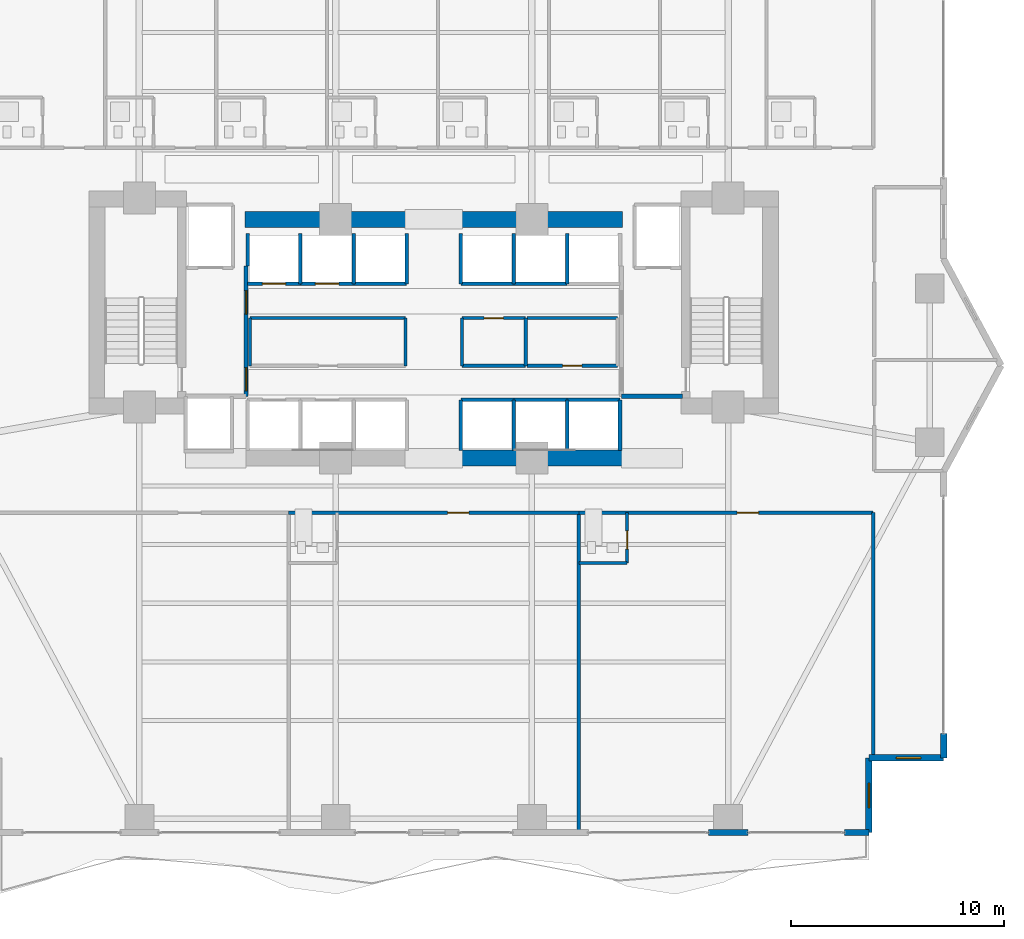
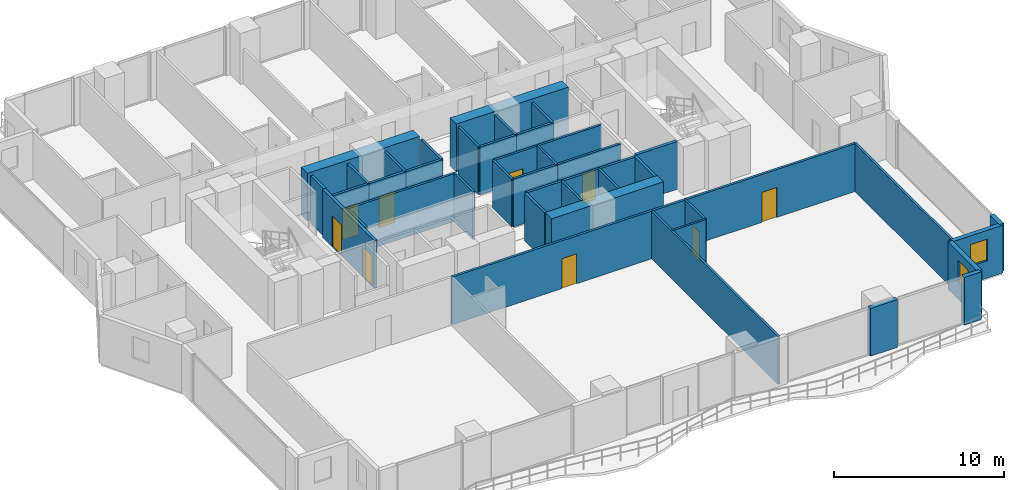
# One storey, part 22 of 29: 44 walls, 9 doors, 2 windows, 11 openings.
"""IFC4 building model written with IfcOpenShell, lengths in metres."""

import ifcopenshell
import ifcopenshell.guid

model = None  # the IFC model being written
_history = None  # IfcOwnerHistory: only IFC2X3 demands one
_inside = {}  # id of a spatial element -> (the spatial element, [elements in it])
_under = {}  # id of a project, library or spatial element -> (it, [spatial elements below it])
_declared = {}  # id of a project -> (the project, [libraries it declares])
_typed = {}  # id of a type object -> (the type object, [elements of that type])
_made_of = {}  # id of a material, layer set ... -> (it, [elements and type objects made of it])


def new_model(schema):
    """Start an empty IFC model of exactly this schema.

    Asked for "IFC4X3", IfcOpenShell would pick the latest addendum, in which some entities
    have other attributes; the version numbers below select the first issue.
    IFC2X3 requires an IfcOwnerHistory on every rooted entity: one is made here for all.
    """
    global model, _history
    if schema == "IFC4X3":
        model = ifcopenshell.file(schema_version=(4, 3, 0, 0))
    else:
        model = ifcopenshell.file(schema=schema)
    _inside.clear()
    _under.clear()
    _declared.clear()
    _typed.clear()
    _made_of.clear()
    _history = None
    if model.schema == "IFC2X3":
        org = make("IfcOrganization", Name="unknown")
        user = make(
            "IfcPersonAndOrganization",
            ThePerson=make("IfcPerson", FamilyName="unknown"),
            TheOrganization=org,
        )
        app = make(
            "IfcApplication",
            ApplicationDeveloper=org,
            Version="unknown",
            ApplicationFullName="unknown",
            ApplicationIdentifier="unknown",
        )
        _history = make(
            "IfcOwnerHistory",
            OwningUser=user,
            OwningApplication=app,
            ChangeAction="ADDED",
            CreationDate=0,
        )
    return model


def make(cls, **values):
    """One entity of the class cls with the attributes given. An attribute that is None is left unset."""
    return model.create_entity(
        cls, **{name: value for name, value in values.items() if value is not None}
    )


def rooted(cls, **values):
    """An entity with a GlobalId (a new one), such as an element, a storey or a relation."""
    return make(cls, GlobalId=ifcopenshell.guid.new(), OwnerHistory=_history, **values)


def si_unit(unit_type, name, prefix=None):
    """IfcSIUnit, for example si_unit("LENGTHUNIT", "METRE", prefix="MILLI")."""
    return make("IfcSIUnit", UnitType=unit_type, Prefix=prefix, Name=name)


def assignment(units):
    """IfcUnitAssignment: the units of a project."""
    return None if units is None else make("IfcUnitAssignment", Units=units)


def point(xyz):
    """IfcCartesianPoint."""
    return None if xyz is None else make("IfcCartesianPoint", Coordinates=xyz)


def direction(xyz):
    """IfcDirection."""
    return None if xyz is None else make("IfcDirection", DirectionRatios=xyz)


def frame(location, z_axis=None, x_axis=None):
    """IfcAxis2Placement3D, a coordinate frame: its origin and axes. An axis left out is left unset."""
    return make(
        "IfcAxis2Placement3D",
        Location=point(location),
        Axis=direction(z_axis),
        RefDirection=direction(x_axis),
    )


def frame_2d(location, x_axis=None):
    """IfcAxis2Placement2D, a coordinate frame in the plane: its origin and x axis."""
    return make(
        "IfcAxis2Placement2D", Location=point(location), RefDirection=direction(x_axis)
    )


def origin():
    """The frame at (0, 0, 0) with its axes left unset."""
    return frame((0.0, 0.0, 0.0))


def place(relative_to, where):
    """IfcLocalPlacement: puts the frame where relative to a parent placement (None: the world)."""
    return make(
        "IfcLocalPlacement", PlacementRelTo=relative_to, RelativePlacement=where
    )


def context(
    kind, dimensions, precision=None, world=None, true_north=None, identifier=None
):
    """IfcGeometricRepresentationContext, for example the 3D "Model" context."""
    return make(
        "IfcGeometricRepresentationContext",
        ContextIdentifier=identifier,
        ContextType=kind,
        CoordinateSpaceDimension=dimensions,
        Precision=precision,
        WorldCoordinateSystem=world,
        TrueNorth=true_north,
    )


def subcontext(parent, identifier, kind, view, scale=None):
    """IfcGeometricRepresentationSubContext, for example "Body" below "Model"."""
    return make(
        "IfcGeometricRepresentationSubContext",
        ContextIdentifier=identifier,
        ContextType=kind,
        ParentContext=parent,
        TargetScale=scale,
        TargetView=view,
    )


def project(units=None, contexts=None):
    """IfcProject with its units and contexts."""
    return rooted(
        "IfcProject",
        Name="project",
        RepresentationContexts=contexts,
        UnitsInContext=assignment(units),
    )


def spatial(cls, under=None, at=None, **own):
    """A site, building, storey or space (cls), placed at a placement, below another one or the project."""
    s = rooted(cls, ObjectPlacement=at, **own)
    if under is not None:
        _under.setdefault(under.id(), (under, []))[1].append(s)
    return s


def profile(cls, at=None, kind="AREA", **sizes):
    """A parametric profile (cls). Its sizes go by their IFC names, for example OverallWidth=200.0."""
    return make(cls, ProfileType=kind, Position=at, **sizes)


def rectangle(**sizes):
    """IfcRectangleProfileDef."""
    return profile("IfcRectangleProfileDef", **sizes)


def extrude(swept, where, along, depth):
    """IfcExtrudedAreaSolid: the profile swept, set in the frame where, extruded along a direction by depth."""
    return make(
        "IfcExtrudedAreaSolid",
        SweptArea=swept,
        Position=where,
        ExtrudedDirection=direction(along),
        Depth=depth,
    )


def shape(context_of_items, identifier, shape_type, items):
    """IfcShapeRepresentation: the items that make up one representation, for example the "Body"."""
    return make(
        "IfcShapeRepresentation",
        ContextOfItems=context_of_items,
        RepresentationIdentifier=identifier,
        RepresentationType=shape_type,
        Items=items,
    )


def material(Name=None, Category=None):
    """IfcMaterial."""
    return make("IfcMaterial", Name=Name, Category=Category)


def layer(
    of_material, thickness, ventilated=None, Name=None, Category=None, Priority=None
):
    """IfcMaterialLayer: one layer of a wall or slab, of a material (None: an air gap)."""
    return make(
        "IfcMaterialLayer",
        Material=of_material,
        LayerThickness=thickness,
        IsVentilated=ventilated,
        Name=Name,
        Category=Category,
        Priority=Priority,
    )


def layer_set(layers, Name=None):
    """IfcMaterialLayerSet."""
    return make("IfcMaterialLayerSet", MaterialLayers=layers, LayerSetName=Name)


def made_of(thing, what):
    """Note that an element or type object is made of a material, layer set ...; save() writes the relation."""
    if what is not None:
        _made_of.setdefault(what.id(), (what, []))[1].append(thing)
    return thing


def type_object(cls, material=None, **own):
    """A type object (cls), such as IfcWallType, which elements share."""
    return made_of(rooted(cls, **own), material)


def element(
    cls,
    number,
    at=None,
    inside=None,
    cuts=None,
    type_object=None,
    material=None,
    context=None,
    identifier="Body",
    shape_type=None,
    held_by="IfcProductDefinitionShape",
    body=None,
    shapes=None,
    **own,
):
    """One element of the class cls, such as IfcWall. Its Tag is "e" and its number.

    at: its placement. inside: the storey or other place that contains it. cuts: it is an
    opening in that element (IfcRelVoidsElement). A single representation is given by context,
    identifier, shape_type and body (its items); several are given by shapes. held_by: the class
    of the entity that holds the representations. save() writes the other relations.
    """
    e = rooted(cls, Tag="e%d" % number, ObjectPlacement=at, **own)
    if body is not None:
        shapes = [shape(context, identifier, shape_type, body)]
    if shapes is not None:
        e.Representation = make(held_by, Representations=shapes)
    if inside is not None:
        _inside.setdefault(inside.id(), (inside, []))[1].append(e)
    if cuts is not None:
        rooted(
            "IfcRelVoidsElement", RelatingBuildingElement=cuts, RelatedOpeningElement=e
        )
    if type_object is not None:
        _typed.setdefault(type_object.id(), (type_object, []))[1].append(e)
    return made_of(e, material)


def fill(opening, filler):
    """IfcRelFillsElement: the door or window that sits in an opening."""
    return rooted(
        "IfcRelFillsElement",
        RelatingOpeningElement=opening,
        RelatedBuildingElement=filler,
    )


def aggregate(whole, parts):
    """IfcRelAggregates: a whole, such as a stair, and the parts it consists of."""
    return rooted("IfcRelAggregates", RelatingObject=whole, RelatedObjects=parts)


def save(model, path):
    """Write the relations noted so far, then the file.

    IfcRelAggregates (storeys below a building ...), IfcRelContainedInSpatialStructure (elements
    in a storey), IfcRelDefinesByType, IfcRelAssociatesMaterial and IfcRelDeclares: one each for
    every whole, place, type object, material and project.
    """
    for whole, parts in _under.values():
        aggregate(whole, parts)
    for where, things in _inside.values():
        rooted(
            "IfcRelContainedInSpatialStructure",
            RelatedElements=things,
            RelatingStructure=where,
        )
    for kind, things in _typed.values():
        rooted("IfcRelDefinesByType", RelatedObjects=things, RelatingType=kind)
    for what, things in _made_of.values():
        rooted("IfcRelAssociatesMaterial", RelatedObjects=things, RelatingMaterial=what)
    for by, libraries in _declared.values():
        rooted("IfcRelDeclares", RelatingContext=by, RelatedDefinitions=libraries)
    model.write(path)


model = new_model("IFC4")

# Units and contexts
model_context = context("Model", 3, precision=1e-05, world=origin(), true_north=direction((0.0, 1.0)))
body_context = subcontext(model_context, "Body", "Model", "MODEL_VIEW")
ifc_project = project(units=[si_unit("LENGTHUNIT", "METRE"), si_unit("AREAUNIT", "SQUARE_METRE"), si_unit("VOLUMEUNIT", "CUBIC_METRE"), si_unit("PLANEANGLEUNIT", "RADIAN"), si_unit("MASSUNIT", "GRAM", prefix="KILO")], contexts=[model_context])

# Site, building, storey
site_placement = place(None, origin())
site = spatial("IfcSite", under=ifc_project, at=site_placement, CompositionType="ELEMENT")
building_placement = place(site_placement, origin())
building = spatial("IfcBuilding", under=site, at=building_placement, Name="Zuhayl Quay Hotel", CompositionType="ELEMENT")
storey_placement = place(building_placement, frame((0.0, 0.0, 106.60009765625)))
storey = spatial("IfcBuildingStorey", under=building, at=storey_placement, Name="L26", CompositionType="ELEMENT", Elevation=106.60009765625)

# Walls
ifc_material_1 = material(Name="Concrete C60/75", Category="concrete")
ifc_layer_1 = layer(ifc_material_1, 0.75, Name="Concrete C60/75", Category="concrete")
ifc_layer_set_1 = layer_set([ifc_layer_1], Name="Concrete C60/75")
wall_type_1 = type_object("IfcWallType", Name="WL_CORE_750", PredefinedType="SHEAR", material=ifc_layer_set_1)
for number, where, z_axis, x_axis, name in (
    (1, (1.25, 2.14990234375, 0.0), (0.0, 0.0, 1.0), (1.0, 0.0, 0.0), "L26 Core Shear Wall CW_SC_E"),
    (2, (-8.85009765625, 13.35009765625, 0.0), (0.0, 0.0, 1.0), (1.0, 0.0, 0.0), "L26 Core Shear Wall CW_NC_W"),
    (3, (1.25, 13.35009765625, 0.0), (0.0, 0.0, 1.0), (1.0, 0.0, 0.0), "L26 Core Shear Wall CW_NC_E"),
):
    element("IfcWall", number, at=place(storey_placement, frame(where, z_axis=z_axis, x_axis=x_axis)), inside=storey, type_object=wall_type_1, Name=name, PredefinedType="SHEAR", context=body_context, shape_type="SweptSolid", body=[
        extrude(rectangle(XDim=7.60009765625, YDim=0.75, at=frame_2d((3.800048828125, 0.0))), origin(), (0.0, 0.0, 1.0), 3.429931640625),
    ])
ifc_material_2 = material(Name="Precast concrete C45/55", Category="concrete")
ifc_layer_2 = layer(ifc_material_2, 0.300048828125, Name="Precast concrete C45/55", Category="concrete")
ifc_layer_set_2 = layer_set([ifc_layer_2], Name="Precast concrete C45/55")
wall_type_2 = type_object("IfcWallType", Name="WL_EXT_300", PredefinedType="STANDARD", material=ifc_layer_set_2)
wall_1_placement = place(storey_placement, frame((23.89990234375, -10.75, 0.0), z_axis=(0.0, 0.0, 1.0), x_axis=(0.0, -1.0, 0.0)))
element("IfcWall", 4, at=wall_1_placement, inside=storey, type_object=wall_type_2, Name="L26 Exterior Precast Wall ENV_L26_E14_EW2", PredefinedType="STANDARD", context=body_context, shape_type="SweptSolid", body=[
    extrude(rectangle(XDim=1.14990234375, YDim=0.300048828125, at=frame_2d((0.574951171875, 0.0))), origin(), (0.0, 0.0, 1.0), 3.429931640625),
])

# Wall, opening, window
wall_2_placement = place(storey_placement, frame((23.89990234375, -11.89990234375, 0.0), z_axis=(0.0, 0.0, 1.0), x_axis=(-1.0, 0.0, 0.0)))
wall_2 = element("IfcWall", 5, at=wall_2_placement, inside=storey, type_object=wall_type_2, Name="L26 Exterior Precast Wall ENV_L26_EW15", PredefinedType="STANDARD", context=body_context, shape_type="SweptSolid", body=[
    extrude(rectangle(XDim=3.5, YDim=0.300048828125, at=frame_2d((1.75, 0.0))), origin(), (0.0, 0.0, 1.0), 3.429931640625),
])
opening_1_placement = place(wall_2_placement, frame((1.06494140625, 0.0, 1.25)))
opening_1 = element("IfcOpeningElement", 6, at=opening_1_placement, cuts=wall_2, Name="Opening W01N", PredefinedType="OPENING", context=body_context, shape_type="SweptSolid", body=[
    extrude(rectangle(XDim=1.14990234375, YDim=1.550048828125, at=frame_2d((0.574951171875, 0.77490234375))), frame((0.0, 0.159912109375, 0.0), z_axis=(0.0, -1.0, 0.0), x_axis=(1.0, 0.0, 0.0)), (0.0, 0.0, 1.0), 0.320068359375),
])
ifc_material_3 = material(Name="Dark Ceramic-Fritted Solar Glass", Category="glass")
window_type = type_object("IfcWindowType", Name="WN_NOTCH_1350", PartitioningType="SINGLE_PANEL", PredefinedType="WINDOW", material=ifc_material_3)
window_1_placement = place(opening_1_placement, origin())
window_1 = element("IfcWindow", 7, at=window_1_placement, inside=storey, type_object=window_type, Name="L26 Corner Notch Window 15", OverallHeight=1.550048828125, OverallWidth=1.14990234375, PartitioningType="SINGLE_PANEL", PredefinedType="WINDOW", context=body_context, shape_type="SweptSolid", body=[
    extrude(rectangle(XDim=1.14990234375, YDim=1.550048828125, at=frame_2d((0.574951171875, 0.77490234375))), frame((0.0, 0.030029296875, 0.0), z_axis=(0.0, -1.0, 0.0), x_axis=(1.0, 0.0, 0.0)), (0.0, 0.0, 1.0), 0.06005859375),
])
fill(opening_1, window_1)

wall_3_placement = place(storey_placement, frame((20.39990234375, -11.89990234375, 0.0), z_axis=(0.0, 0.0, 1.0), x_axis=(0.0, -1.0, 0.0)))
wall_3 = element("IfcWall", 8, at=wall_3_placement, inside=storey, type_object=wall_type_2, Name="L26 Exterior Precast Wall ENV_L26_EW16", PredefinedType="STANDARD", context=body_context, shape_type="SweptSolid", body=[
    extrude(rectangle(XDim=3.5, YDim=0.300048828125, at=frame_2d((1.75, 0.0))), origin(), (0.0, 0.0, 1.0), 3.429931640625),
])
opening_2_placement = place(wall_3_placement, frame((1.18505859375, 0.0, 1.25)))
opening_2 = element("IfcOpeningElement", 9, at=opening_2_placement, cuts=wall_3, Name="Opening W01N", PredefinedType="OPENING", context=body_context, shape_type="SweptSolid", body=[
    extrude(rectangle(XDim=1.14990234375, YDim=1.550048828125, at=frame_2d((0.574951171875, 0.77490234375))), frame((0.0, 0.159912109375, 0.0), z_axis=(0.0, -1.0, 0.0), x_axis=(1.0, 0.0, 0.0)), (0.0, 0.0, 1.0), 0.320068359375),
])
window_2_placement = place(opening_2_placement, origin())
window_2 = element("IfcWindow", 10, at=window_2_placement, inside=storey, type_object=window_type, Name="L26 Corner Notch Window 16", OverallHeight=1.550048828125, OverallWidth=1.14990234375, PartitioningType="SINGLE_PANEL", PredefinedType="WINDOW", context=body_context, shape_type="SweptSolid", body=[
    extrude(rectangle(XDim=1.14990234375, YDim=1.550048828125, at=frame_2d((0.574951171875, 0.77490234375))), frame((0.0, 0.030029296875, 0.0), z_axis=(0.0, -1.0, 0.0), x_axis=(1.0, 0.0, 0.0)), (0.0, 0.0, 1.0), 0.06005859375),
])
fill(opening_2, window_2)

# Walls
wall_4_placement = place(storey_placement, frame((20.39990234375, -15.39990234375, 0.0), z_axis=(0.0, 0.0, 1.0), x_axis=(-1.0, 0.0, 0.0)))
element("IfcWall", 11, at=wall_4_placement, inside=storey, type_object=wall_type_2, Name="L26 Exterior Precast Wall ENV_L26_S_EW1", PredefinedType="STANDARD", context=body_context, shape_type="SweptSolid", body=[
    extrude(rectangle(XDim=1.14990234375, YDim=0.300048828125, at=frame_2d((0.574951171875, 0.0))), origin(), (0.0, 0.0, 1.0), 3.429931640625),
])
wall_5_placement = place(storey_placement, frame((14.719970703125, -15.39990234375, 0.0), z_axis=(0.0, 0.0, 1.0), x_axis=(-1.0, 0.0, 0.0)))
element("IfcWall", 12, at=wall_5_placement, inside=storey, type_object=wall_type_2, Name="L26 Exterior Precast Wall ENV_L26_S_EW2", PredefinedType="STANDARD", context=body_context, shape_type="SweptSolid", body=[
    extrude(rectangle(XDim=1.840087890625, YDim=0.300048828125, at=frame_2d((0.919921875, 0.0))), origin(), (0.0, 0.0, 1.0), 3.429931640625),
])

# Wall, opening, door
ifc_material_4 = material(Name="Acoustic Gypsum Partition STC-58")
ifc_layer_3 = layer(ifc_material_4, 0.14990234375, Name="Acoustic Gypsum Partition STC-58")
ifc_layer_set_3 = layer_set([ifc_layer_3], Name="Acoustic Gypsum Partition STC-58")
wall_type_3 = type_object("IfcWallType", Name="WL_PART_150", PredefinedType="PARTITIONING", material=ifc_layer_set_3)
wall_6_placement = place(storey_placement, frame((1.320068359375, 8.719970703125, 0.0), z_axis=(0.0, 0.0, 1.0), x_axis=(1.0, 0.0, 0.0)))
wall_6 = element("IfcWall", 13, at=wall_6_placement, inside=storey, type_object=wall_type_3, Name="L26 Partition IW_L26_CORE_IT_N", PredefinedType="PARTITIONING", context=body_context, shape_type="SweptSolid", body=[
    extrude(rectangle(XDim=2.989990234375, YDim=0.14990234375, at=frame_2d((1.4951171875, 0.0))), origin(), (0.0, 0.0, 1.0), 3.429931640625),
])
opening_3_placement = place(wall_6_placement, frame((1.044921875, 0.0, 0.0)))
opening_3 = element("IfcOpeningElement", 14, at=opening_3_placement, cuts=wall_6, Name="Opening D06", PredefinedType="OPENING", context=body_context, shape_type="SweptSolid", body=[
    extrude(rectangle(XDim=0.89990234375, YDim=2.14990234375, at=frame_2d((0.449951171875, 1.074951171875))), frame((0.0, 0.0849609375, 0.0), z_axis=(0.0, -1.0, 0.0), x_axis=(1.0, 0.0, 0.0)), (0.0, 0.0, 1.0), 0.169921875),
])
ifc_material_5 = material(Name="Steel ASTM A992 Grade 50", Category="steel")
door_type_1 = type_object("IfcDoorType", Name="DR_INT_900", OperationType="NOTDEFINED", PredefinedType="DOOR", material=ifc_material_5)
door_1_placement = place(opening_3_placement, origin())
door_1 = element("IfcDoor", 15, at=door_1_placement, inside=storey, type_object=door_type_1, Name="L26 Telecom Closet Door", OperationType="SINGLE_SWING_RIGHT", OverallHeight=2.14990234375, OverallWidth=0.89990234375, PredefinedType="DOOR", context=body_context, shape_type="SweptSolid", body=[
    extrude(rectangle(XDim=0.89990234375, YDim=2.14990234375, at=frame_2d((0.449951171875, 1.074951171875))), frame((0.0, 0.02490234375, 0.0), z_axis=(0.0, -1.0, 0.0), x_axis=(1.0, 0.0, 0.0)), (0.0, 0.0, 1.0), 0.050048828125),
])
fill(opening_3, door_1)

wall_7_placement = place(storey_placement, frame((4.3701171875, 6.47998046875, 0.0), z_axis=(0.0, 0.0, 1.0), x_axis=(1.0, 0.0, 0.0)))
wall_7 = element("IfcWall", 16, at=wall_7_placement, inside=storey, type_object=wall_type_3, Name="L26 Partition IW_L26_CORE_LN_S", PredefinedType="PARTITIONING", context=body_context, shape_type="SweptSolid", body=[
    extrude(rectangle(XDim=4.239990234375, YDim=0.14990234375, at=frame_2d((2.1201171875, 0.0))), origin(), (0.0, 0.0, 1.0), 3.429931640625),
])
opening_4_placement = place(wall_7_placement, frame((1.669921875, 0.0, 0.0)))
opening_4 = element("IfcOpeningElement", 17, at=opening_4_placement, cuts=wall_7, Name="Opening D06", PredefinedType="OPENING", context=body_context, shape_type="SweptSolid", body=[
    extrude(rectangle(XDim=0.89990234375, YDim=2.14990234375, at=frame_2d((0.449951171875, 1.074951171875))), frame((0.0, 0.0849609375, 0.0), z_axis=(0.0, -1.0, 0.0), x_axis=(1.0, 0.0, 0.0)), (0.0, 0.0, 1.0), 0.169921875),
])
door_2_placement = place(opening_4_placement, origin())
door_2 = element("IfcDoor", 18, at=door_2_placement, inside=storey, type_object=door_type_1, Name="L26 Core Linen Store Door", OperationType="SINGLE_SWING_LEFT", OverallHeight=2.14990234375, OverallWidth=0.89990234375, PredefinedType="DOOR", context=body_context, shape_type="SweptSolid", body=[
    extrude(rectangle(XDim=0.89990234375, YDim=2.14990234375, at=frame_2d((0.449951171875, 1.074951171875))), frame((0.0, 0.02490234375, 0.0), z_axis=(0.0, -1.0, 0.0), x_axis=(1.0, 0.0, 0.0)), (0.0, 0.0, 1.0), 0.050048828125),
])
fill(opening_4, door_2)

# Walls
wall_8_placement = place(storey_placement, frame((-8.610107421875, 8.719970703125, 0.0), z_axis=(0.0, 0.0, 1.0), x_axis=(1.0, 0.0, 0.0)))
element("IfcWall", 19, at=wall_8_placement, inside=storey, type_object=wall_type_3, Name="L26 Partition IW_L26_CORE_EL_N", PredefinedType="PARTITIONING", context=body_context, shape_type="SweptSolid", body=[
    extrude(rectangle(XDim=7.2900390625, YDim=0.14990234375, at=frame_2d((3.64501953125, 0.0))), origin(), (0.0, 0.0, 1.0), 3.429931640625),
])
for number, where, z_axis, x_axis, name in (
    (20, (-8.610107421875, 6.47998046875, 0.0), (0.0, 0.0, 1.0), (0.0, 1.0, 0.0), "L26 Partition IW_L26_CORE_EL_W"),
    (21, (-1.320068359375, 6.47998046875, 0.0), (0.0, 0.0, 1.0), (0.0, 1.0, 0.0), "L26 Partition IW_L26_CORE_EL_E"),
):
    element("IfcWall", number, at=place(storey_placement, frame(where, z_axis=z_axis, x_axis=x_axis)), inside=storey, type_object=wall_type_3, Name=name, PredefinedType="PARTITIONING", context=body_context, shape_type="SweptSolid", body=[
        extrude(rectangle(XDim=2.239990234375, YDim=0.14990234375, at=frame_2d((1.1201171875, 0.0))), origin(), (0.0, 0.0, 1.0), 3.429931640625),
    ])
wall_9_placement = place(storey_placement, frame((1.320068359375, 6.47998046875, 0.0), z_axis=(0.0, 0.0, 1.0), x_axis=(1.0, 0.0, 0.0)))
element("IfcWall", 22, at=wall_9_placement, inside=storey, type_object=wall_type_3, Name="L26 Partition IW_L26_CORE_IT_S", PredefinedType="PARTITIONING", context=body_context, shape_type="SweptSolid", body=[
    extrude(rectangle(XDim=2.989990234375, YDim=0.14990234375, at=frame_2d((1.4951171875, 0.0))), origin(), (0.0, 0.0, 1.0), 3.429931640625),
])
for number, where, z_axis, x_axis, name in (
    (23, (1.320068359375, 6.47998046875, 0.0), (0.0, 0.0, 1.0), (0.0, 1.0, 0.0), "L26 Partition IW_L26_CORE_IT_W"),
    (24, (4.31005859375, 6.47998046875, 0.0), (0.0, 0.0, 1.0), (0.0, 1.0, 0.0), "L26 Partition IW_L26_CORE_IT_E"),
):
    element("IfcWall", number, at=place(storey_placement, frame(where, z_axis=z_axis, x_axis=x_axis)), inside=storey, type_object=wall_type_3, Name=name, PredefinedType="PARTITIONING", context=body_context, shape_type="SweptSolid", body=[
        extrude(rectangle(XDim=2.239990234375, YDim=0.14990234375, at=frame_2d((1.1201171875, 0.0))), origin(), (0.0, 0.0, 1.0), 3.429931640625),
    ])
wall_10_placement = place(storey_placement, frame((4.3701171875, 8.719970703125, 0.0), z_axis=(0.0, 0.0, 1.0), x_axis=(1.0, 0.0, 0.0)))
element("IfcWall", 25, at=wall_10_placement, inside=storey, type_object=wall_type_3, Name="L26 Partition IW_L26_CORE_LN_N", PredefinedType="PARTITIONING", context=body_context, shape_type="SweptSolid", body=[
    extrude(rectangle(XDim=4.239990234375, YDim=0.14990234375, at=frame_2d((2.1201171875, 0.0))), origin(), (0.0, 0.0, 1.0), 3.429931640625),
])
wall_11_placement = place(storey_placement, frame((6.800048828125, -15.320068359375, 0.0), z_axis=(0.0, 0.0, 1.0), x_axis=(0.0, 1.0, 0.0)))
element("IfcWall", 26, at=wall_11_placement, inside=storey, type_object=wall_type_3, Name="L26 Partition IW_L26_SU02_E", PredefinedType="PARTITIONING", context=body_context, shape_type="SweptSolid", body=[
    extrude(rectangle(XDim=14.920166015625, YDim=0.14990234375, at=frame_2d((7.4599609375, 0.0))), origin(), (0.0, 0.0, 1.0), 3.429931640625),
])
wall_12_placement = place(storey_placement, frame((20.60009765625, -11.89990234375, 0.0), z_axis=(0.0, 0.0, 1.0), x_axis=(0.0, 1.0, 0.0)))
element("IfcWall", 27, at=wall_12_placement, inside=storey, type_object=wall_type_3, Name="L26 Partition IW_L26_SU03_E", PredefinedType="PARTITIONING", context=body_context, shape_type="SweptSolid", body=[
    extrude(rectangle(XDim=11.5, YDim=0.14990234375, at=frame_2d((5.75, 0.0))), origin(), (0.0, 0.0, 1.0), 3.429931640625),
])

# Wall, opening, door
ifc_layer_4 = layer(ifc_material_4, 0.159912109375, Name="Acoustic Gypsum Partition STC-58")
ifc_layer_set_4 = layer_set([ifc_layer_4], Name="Acoustic Gypsum Partition STC-58")
wall_type_4 = type_object("IfcWallType", Name="WL_PART_CORR_160", PredefinedType="PARTITIONING", material=ifc_layer_set_4)
wall_13_placement = place(storey_placement, frame((-6.800048828125, -0.39990234375, 0.0), z_axis=(0.0, 0.0, 1.0), x_axis=(1.0, 0.0, 0.0)))
wall_13 = element("IfcWall", 28, at=wall_13_placement, inside=storey, type_object=wall_type_4, Name="L26 Partition IW_L26_SU02_COR", PredefinedType="PARTITIONING", context=body_context, shape_type="SweptSolid", body=[
    extrude(rectangle(XDim=13.60009765625, YDim=0.159912109375, at=frame_2d((6.800048828125, 0.0))), origin(), (0.0, 0.0, 1.0), 3.429931640625),
])
opening_5_placement = place(wall_13_placement, frame((7.449951171875, 0.0, 0.0)))
opening_5 = element("IfcOpeningElement", 29, at=opening_5_placement, cuts=wall_13, Name="Opening D03L", PredefinedType="OPENING", context=body_context, shape_type="SweptSolid", body=[
    extrude(rectangle(XDim=1.0, YDim=2.14990234375, at=frame_2d((0.5, 1.074951171875))), frame((0.0, 0.08984375, 0.0), z_axis=(0.0, -1.0, 0.0), x_axis=(1.0, 0.0, 0.0)), (0.0, 0.0, 1.0), 0.179931640625),
])
ifc_material_6 = material(Name="Solid Walnut Acoustic Fire Door")
door_type_2 = type_object("IfcDoorType", Name="DR_SUITE_1000", OperationType="NOTDEFINED", PredefinedType="DOOR", material=ifc_material_6)
door_3_placement = place(opening_5_placement, origin())
door_3 = element("IfcDoor", 30, at=door_3_placement, inside=storey, type_object=door_type_2, Name="L26 City-View Junior Suite L26-02 Entrance Door", OperationType="SINGLE_SWING_RIGHT", OverallHeight=2.14990234375, OverallWidth=1.0, PredefinedType="DOOR", context=body_context, shape_type="SweptSolid", body=[
    extrude(rectangle(XDim=1.0, YDim=2.14990234375, at=frame_2d((0.5, 1.074951171875))), frame((0.0, 0.02490234375, 0.0), z_axis=(0.0, -1.0, 0.0), x_axis=(1.0, 0.0, 0.0)), (0.0, 0.0, 1.0), 0.050048828125),
])
fill(opening_5, door_3)

wall_14_placement = place(storey_placement, frame((6.800048828125, -0.39990234375, 0.0), z_axis=(0.0, 0.0, 1.0), x_axis=(1.0, 0.0, 0.0)))
wall_14 = element("IfcWall", 31, at=wall_14_placement, inside=storey, type_object=wall_type_4, Name="L26 Partition IW_L26_SU03_COR", PredefinedType="PARTITIONING", context=body_context, shape_type="SweptSolid", body=[
    extrude(rectangle(XDim=13.800048828125, YDim=0.159912109375, at=frame_2d((6.89990234375, 0.0))), origin(), (0.0, 0.0, 1.0), 3.429931640625),
])
opening_6_placement = place(wall_14_placement, frame((7.425048828125, 0.0, 0.0)))
opening_6 = element("IfcOpeningElement", 32, at=opening_6_placement, cuts=wall_14, Name="Opening D03L", PredefinedType="OPENING", context=body_context, shape_type="SweptSolid", body=[
    extrude(rectangle(XDim=1.0, YDim=2.14990234375, at=frame_2d((0.5, 1.074951171875))), frame((0.0, 0.08984375, 0.0), z_axis=(0.0, -1.0, 0.0), x_axis=(1.0, 0.0, 0.0)), (0.0, 0.0, 1.0), 0.179931640625),
])
door_4_placement = place(opening_6_placement, origin())
door_4 = element("IfcDoor", 33, at=door_4_placement, inside=storey, type_object=door_type_2, Name="L26 City-View Junior Suite L26-03 Entrance Door", OperationType="SINGLE_SWING_RIGHT", OverallHeight=2.14990234375, OverallWidth=1.0, PredefinedType="DOOR", context=body_context, shape_type="SweptSolid", body=[
    extrude(rectangle(XDim=1.0, YDim=2.14990234375, at=frame_2d((0.5, 1.074951171875))), frame((0.0, 0.02490234375, 0.0), z_axis=(0.0, -1.0, 0.0), x_axis=(1.0, 0.0, 0.0)), (0.0, 0.0, 1.0), 0.050048828125),
])
fill(opening_6, door_4)

ifc_material_7 = material(Name="Moisture-Resistant Sanitarychase Gypsum")
ifc_layer_5 = layer(ifc_material_7, 0.135009765625, Name="Moisture-Resistant Sanitarychase Gypsum")
ifc_layer_set_5 = layer_set([ifc_layer_5], Name="Moisture-Resistant Sanitarychase Gypsum")
wall_type_5 = type_object("IfcWallType", Name="WL_PART_PLUMB_150", PredefinedType="PLUMBINGWALL", material=ifc_layer_set_5)
wall_15_placement = place(storey_placement, frame((9.06005859375, -2.760009765625, 0.0), z_axis=(0.0, 0.0, 1.0), x_axis=(0.0, 1.0, 0.0)))
wall_15 = element("IfcWall", 34, at=wall_15_placement, inside=storey, type_object=wall_type_5, Name="L26 Partition IW_L26_SU03_BE", PredefinedType="PLUMBINGWALL", context=body_context, shape_type="SweptSolid", body=[
    extrude(rectangle(XDim=2.360107421875, YDim=0.135009765625, at=frame_2d((1.18017578125, 0.0))), origin(), (0.0, 0.0, 1.0), 3.429931640625),
])
opening_7_placement = place(wall_15_placement, frame((0.64990234375, 0.0, 0.0)))
opening_7 = element("IfcOpeningElement", 35, at=opening_7_placement, cuts=wall_15, Name="Opening D04", PredefinedType="OPENING", context=body_context, shape_type="SweptSolid", body=[
    extrude(rectangle(XDim=0.85009765625, YDim=2.10009765625, at=frame_2d((0.425048828125, 1.050048828125))), frame((0.0, 0.077392578125, 0.0), z_axis=(0.0, -1.0, 0.0), x_axis=(1.0, 0.0, 0.0)), (0.0, 0.0, 1.0), 0.155029296875),
])
ifc_material_8 = material(Name="Moisture-Resistant Walnut Veneer")
door_type_3 = type_object("IfcDoorType", Name="DR_BATH_850", OperationType="NOTDEFINED", PredefinedType="DOOR", material=ifc_material_8)
door_5_placement = place(opening_7_placement, origin())
door_5 = element("IfcDoor", 36, at=door_5_placement, inside=storey, type_object=door_type_3, Name="L26 City-View Junior Suite L26-03 En-Suite Door", OperationType="SINGLE_SWING_LEFT", OverallHeight=2.10009765625, OverallWidth=0.85009765625, PredefinedType="DOOR", context=body_context, shape_type="SweptSolid", body=[
    extrude(rectangle(XDim=0.85009765625, YDim=2.10009765625, at=frame_2d((0.425048828125, 1.050048828125))), frame((0.0, 0.02490234375, 0.0), z_axis=(0.0, -1.0, 0.0), x_axis=(1.0, 0.0, 0.0)), (0.0, 0.0, 1.0), 0.050048828125),
])
fill(opening_7, door_5)

# Wall
wall_16_placement = place(storey_placement, frame((6.800048828125, -2.760009765625, 0.0), z_axis=(0.0, 0.0, 1.0), x_axis=(1.0, 0.0, 0.0)))
element("IfcWall", 37, at=wall_16_placement, inside=storey, type_object=wall_type_5, Name="L26 Partition IW_L26_SU03_BS", PredefinedType="PLUMBINGWALL", context=body_context, shape_type="SweptSolid", body=[
    extrude(rectangle(XDim=2.260009765625, YDim=0.135009765625, at=frame_2d((1.1298828125, 0.0))), origin(), (0.0, 0.0, 1.0), 3.429931640625),
])

# Wall, opening, door
ifc_material_9 = material(Name="Gypsum Fireboard Assembly EI-90")
ifc_layer_6 = layer(ifc_material_9, 0.1650390625, Name="Gypsum Fireboard Assembly EI-90")
ifc_layer_set_6 = layer_set([ifc_layer_6], Name="Gypsum Fireboard Assembly EI-90")
wall_type_6 = type_object("IfcWallType", Name="WL_PART_SHAFT_160", PredefinedType="PARTITIONING", material=ifc_layer_set_6)
wall_17_placement = place(storey_placement, frame((-8.72998046875, 10.320068359375, 0.0), z_axis=(0.0, 0.0, 1.0), x_axis=(1.0, 0.0, 0.0)))
wall_17 = element("IfcWall", 38, at=wall_17_placement, inside=storey, type_object=wall_type_6, Name="L26 Partition IW_L26_SH_LP3_F", PredefinedType="PARTITIONING", context=body_context, shape_type="SweptSolid", body=[
    extrude(rectangle(XDim=2.47998046875, YDim=0.1650390625, at=frame_2d((1.239990234375, 0.0))), origin(), (0.0, 0.0, 1.0), 3.429931640625),
])
opening_8_placement = place(wall_17_placement, frame((0.68994140625, 0.0, 0.0)))
opening_8 = element("IfcOpeningElement", 39, at=opening_8_placement, cuts=wall_17, Name="Opening LD1", PredefinedType="OPENING", context=body_context, shape_type="SweptSolid", body=[
    extrude(rectangle(XDim=1.10009765625, YDim=2.25, at=frame_2d((0.550048828125, 1.125))), frame((0.0, 0.092529296875, 0.0), z_axis=(0.0, -1.0, 0.0), x_axis=(1.0, 0.0, 0.0)), (0.0, 0.0, 1.0), 0.18505859375),
])
ifc_material_10 = material(Name="Brushed Stainless Steel", Category="steel")
door_type_4 = type_object("IfcDoorType", Name="DR_LIFT_PASS_1100", OperationType="SLIDING_TO_LEFT", PredefinedType="DOOR", material=ifc_material_10)
door_6_placement = place(opening_8_placement, origin())
door_6 = element("IfcDoor", 40, at=door_6_placement, inside=storey, type_object=door_type_4, Name="L26 Lift LP3 Sliding Landing Door", OperationType="SLIDING_TO_LEFT", OverallHeight=2.25, OverallWidth=1.10009765625, PredefinedType="DOOR", context=body_context, shape_type="SweptSolid", body=[
    extrude(rectangle(XDim=1.10009765625, YDim=2.25, at=frame_2d((0.550048828125, 1.125))), frame((0.0, 0.02490234375, 0.0), z_axis=(0.0, -1.0, 0.0), x_axis=(1.0, 0.0, 0.0)), (0.0, 0.0, 1.0), 0.050048828125),
])
fill(opening_8, door_6)

wall_18_placement = place(storey_placement, frame((-6.25, 10.320068359375, 0.0), z_axis=(0.0, 0.0, 1.0), x_axis=(1.0, 0.0, 0.0)))
wall_18 = element("IfcWall", 41, at=wall_18_placement, inside=storey, type_object=wall_type_6, Name="L26 Partition IW_L26_SH_LP4_F", PredefinedType="PARTITIONING", context=body_context, shape_type="SweptSolid", body=[
    extrude(rectangle(XDim=2.5, YDim=0.1650390625, at=frame_2d((1.25, 0.0))), origin(), (0.0, 0.0, 1.0), 3.429931640625),
])
opening_9_placement = place(wall_18_placement, frame((0.699951171875, 0.0, 0.0)))
opening_9 = element("IfcOpeningElement", 42, at=opening_9_placement, cuts=wall_18, Name="Opening LD1", PredefinedType="OPENING", context=body_context, shape_type="SweptSolid", body=[
    extrude(rectangle(XDim=1.10009765625, YDim=2.25, at=frame_2d((0.550048828125, 1.125))), frame((0.0, 0.092529296875, 0.0), z_axis=(0.0, -1.0, 0.0), x_axis=(1.0, 0.0, 0.0)), (0.0, 0.0, 1.0), 0.18505859375),
])
door_7_placement = place(opening_9_placement, origin())
door_7 = element("IfcDoor", 43, at=door_7_placement, inside=storey, type_object=door_type_4, Name="L26 Lift LP4 Sliding Landing Door", OperationType="SLIDING_TO_LEFT", OverallHeight=2.25, OverallWidth=1.10009765625, PredefinedType="DOOR", context=body_context, shape_type="SweptSolid", body=[
    extrude(rectangle(XDim=1.10009765625, YDim=2.25, at=frame_2d((0.550048828125, 1.125))), frame((0.0, 0.02490234375, 0.0), z_axis=(0.0, -1.0, 0.0), x_axis=(1.0, 0.0, 0.0)), (0.0, 0.0, 1.0), 0.050048828125),
])
fill(opening_9, door_7)

# Walls
wall_19_placement = place(storey_placement, frame((-8.72998046875, 11.14990234375, 0.0), z_axis=(0.0, 0.0, 1.0), x_axis=(0.0, 1.0, 0.0)))
element("IfcWall", 44, at=wall_19_placement, inside=storey, type_object=wall_type_6, Name="L26 Partition IW_L26_SH_LP3_W", PredefinedType="PARTITIONING", context=body_context, shape_type="SweptSolid", body=[
    extrude(rectangle(XDim=1.530029296875, YDim=0.1650390625, at=frame_2d((0.76513671875, 0.0))), origin(), (0.0, 0.0, 1.0), 3.429931640625),
])
for number, where, z_axis, x_axis, name in (
    (45, (-6.25, 10.320068359375, 0.0), (0.0, 0.0, 1.0), (0.0, 1.0, 0.0), "L26 Partition IW_L26_SH_LP3_E"),
    (46, (-3.75, 10.320068359375, 0.0), (0.0, 0.0, 1.0), (0.0, 1.0, 0.0), "L26 Partition IW_L26_SH_LP4_E"),
):
    element("IfcWall", number, at=place(storey_placement, frame(where, z_axis=z_axis, x_axis=x_axis)), inside=storey, type_object=wall_type_6, Name=name, PredefinedType="PARTITIONING", context=body_context, shape_type="SweptSolid", body=[
        extrude(rectangle(XDim=2.35986328125, YDim=0.1650390625, at=frame_2d((1.179931640625, 0.0))), origin(), (0.0, 0.0, 1.0), 3.429931640625),
    ])
wall_20_placement = place(storey_placement, frame((1.27001953125, 4.8798828125, 0.0), z_axis=(0.0, 0.0, 1.0), x_axis=(1.0, 0.0, 0.0)))
element("IfcWall", 47, at=wall_20_placement, inside=storey, type_object=wall_type_6, Name="L26 Partition IW_L26_SH_MP2_F", PredefinedType="PARTITIONING", context=body_context, shape_type="SweptSolid", body=[
    extrude(rectangle(XDim=2.47998046875, YDim=0.1650390625, at=frame_2d((1.239990234375, 0.0))), origin(), (0.0, 0.0, 1.0), 3.429931640625),
])
for number, where, z_axis, x_axis, name in (
    (48, (1.27001953125, 2.52001953125, 0.0), (0.0, 0.0, 1.0), (0.0, 1.0, 0.0), "L26 Partition IW_L26_SH_MP2_W"),
    (49, (3.75, 2.52001953125, 0.0), (0.0, 0.0, 1.0), (0.0, 1.0, 0.0), "L26 Partition IW_L26_SH_MP2_E"),
):
    element("IfcWall", number, at=place(storey_placement, frame(where, z_axis=z_axis, x_axis=x_axis)), inside=storey, type_object=wall_type_6, Name=name, PredefinedType="PARTITIONING", context=body_context, shape_type="SweptSolid", body=[
        extrude(rectangle(XDim=2.35986328125, YDim=0.1650390625, at=frame_2d((1.179931640625, 0.0))), origin(), (0.0, 0.0, 1.0), 3.429931640625),
    ])
wall_21_placement = place(storey_placement, frame((-3.75, 10.320068359375, 0.0), z_axis=(0.0, 0.0, 1.0), x_axis=(1.0, 0.0, 0.0)))
element("IfcWall", 50, at=wall_21_placement, inside=storey, type_object=wall_type_6, Name="L26 Partition IW_L26_SH_MP3_F", PredefinedType="PARTITIONING", context=body_context, shape_type="SweptSolid", body=[
    extrude(rectangle(XDim=2.47998046875, YDim=0.1650390625, at=frame_2d((1.239990234375, 0.0))), origin(), (0.0, 0.0, 1.0), 3.429931640625),
])
wall_22_placement = place(storey_placement, frame((-1.27001953125, 10.320068359375, 0.0), z_axis=(0.0, 0.0, 1.0), x_axis=(0.0, 1.0, 0.0)))
element("IfcWall", 51, at=wall_22_placement, inside=storey, type_object=wall_type_6, Name="L26 Partition IW_L26_SH_MP3_E", PredefinedType="PARTITIONING", context=body_context, shape_type="SweptSolid", body=[
    extrude(rectangle(XDim=2.35986328125, YDim=0.1650390625, at=frame_2d((1.179931640625, 0.0))), origin(), (0.0, 0.0, 1.0), 3.429931640625),
])
wall_23_placement = place(storey_placement, frame((1.27001953125, 10.320068359375, 0.0), z_axis=(0.0, 0.0, 1.0), x_axis=(1.0, 0.0, 0.0)))
element("IfcWall", 52, at=wall_23_placement, inside=storey, type_object=wall_type_6, Name="L26 Partition IW_L26_SH_MP4_F", PredefinedType="PARTITIONING", context=body_context, shape_type="SweptSolid", body=[
    extrude(rectangle(XDim=2.47998046875, YDim=0.1650390625, at=frame_2d((1.239990234375, 0.0))), origin(), (0.0, 0.0, 1.0), 3.429931640625),
])
for number, where, z_axis, x_axis, name in (
    (53, (1.27001953125, 10.320068359375, 0.0), (0.0, 0.0, 1.0), (0.0, 1.0, 0.0), "L26 Partition IW_L26_SH_MP4_W"),
    (54, (3.75, 10.320068359375, 0.0), (0.0, 0.0, 1.0), (0.0, 1.0, 0.0), "L26 Partition IW_L26_SH_MP4_E"),
):
    element("IfcWall", number, at=place(storey_placement, frame(where, z_axis=z_axis, x_axis=x_axis)), inside=storey, type_object=wall_type_6, Name=name, PredefinedType="PARTITIONING", context=body_context, shape_type="SweptSolid", body=[
        extrude(rectangle(XDim=2.35986328125, YDim=0.1650390625, at=frame_2d((1.179931640625, 0.0))), origin(), (0.0, 0.0, 1.0), 3.429931640625),
    ])
wall_24_placement = place(storey_placement, frame((3.75, 4.8798828125, 0.0), z_axis=(0.0, 0.0, 1.0), x_axis=(1.0, 0.0, 0.0)))
element("IfcWall", 55, at=wall_24_placement, inside=storey, type_object=wall_type_6, Name="L26 Partition IW_L26_SH_HP1_F", PredefinedType="PARTITIONING", context=body_context, shape_type="SweptSolid", body=[
    extrude(rectangle(XDim=2.5, YDim=0.1650390625, at=frame_2d((1.25, 0.0))), origin(), (0.0, 0.0, 1.0), 3.429931640625),
])
wall_25_placement = place(storey_placement, frame((6.25, 2.52001953125, 0.0), z_axis=(0.0, 0.0, 1.0), x_axis=(0.0, 1.0, 0.0)))
element("IfcWall", 56, at=wall_25_placement, inside=storey, type_object=wall_type_6, Name="L26 Partition IW_L26_SH_HP1_E", PredefinedType="PARTITIONING", context=body_context, shape_type="SweptSolid", body=[
    extrude(rectangle(XDim=2.35986328125, YDim=0.1650390625, at=frame_2d((1.179931640625, 0.0))), origin(), (0.0, 0.0, 1.0), 3.429931640625),
])
wall_26_placement = place(storey_placement, frame((6.25, 4.8798828125, 0.0), z_axis=(0.0, 0.0, 1.0), x_axis=(1.0, 0.0, 0.0)))
element("IfcWall", 57, at=wall_26_placement, inside=storey, type_object=wall_type_6, Name="L26 Partition IW_L26_SH_HP2_F", PredefinedType="PARTITIONING", context=body_context, shape_type="SweptSolid", body=[
    extrude(rectangle(XDim=2.47998046875, YDim=0.1650390625, at=frame_2d((1.239990234375, 0.0))), origin(), (0.0, 0.0, 1.0), 3.429931640625),
])
wall_27_placement = place(storey_placement, frame((8.72998046875, 2.52001953125, 0.0), z_axis=(0.0, 0.0, 1.0), x_axis=(0.0, 1.0, 0.0)))
element("IfcWall", 58, at=wall_27_placement, inside=storey, type_object=wall_type_6, Name="L26 Partition IW_L26_SH_HP2_E", PredefinedType="PARTITIONING", context=body_context, shape_type="SweptSolid", body=[
    extrude(rectangle(XDim=2.35986328125, YDim=0.1650390625, at=frame_2d((1.179931640625, 0.0))), origin(), (0.0, 0.0, 1.0), 3.429931640625),
])
wall_28_placement = place(storey_placement, frame((3.75, 10.320068359375, 0.0), z_axis=(0.0, 0.0, 1.0), x_axis=(1.0, 0.0, 0.0)))
element("IfcWall", 59, at=wall_28_placement, inside=storey, type_object=wall_type_6, Name="L26 Partition IW_L26_SH_HP3_F", PredefinedType="PARTITIONING", context=body_context, shape_type="SweptSolid", body=[
    extrude(rectangle(XDim=2.5, YDim=0.1650390625, at=frame_2d((1.25, 0.0))), origin(), (0.0, 0.0, 1.0), 3.429931640625),
])
wall_29_placement = place(storey_placement, frame((6.25, 10.320068359375, 0.0), z_axis=(0.0, 0.0, 1.0), x_axis=(0.0, 1.0, 0.0)))
element("IfcWall", 60, at=wall_29_placement, inside=storey, type_object=wall_type_6, Name="L26 Partition IW_L26_SH_HP3_E", PredefinedType="PARTITIONING", context=body_context, shape_type="SweptSolid", body=[
    extrude(rectangle(XDim=2.35986328125, YDim=0.1650390625, at=frame_2d((1.179931640625, 0.0))), origin(), (0.0, 0.0, 1.0), 3.429931640625),
])

# Wall, openings, doors
ifc_material_11 = material(Name="Gypsum Fireboard Assembly EI-120")
ifc_layer_7 = layer(ifc_material_11, 0.199951171875, Name="Gypsum Fireboard Assembly EI-120")
ifc_layer_set_7 = layer_set([ifc_layer_7], Name="Gypsum Fireboard Assembly EI-120")
wall_type_7 = type_object("IfcWallType", Name="WL_PART_SHAFT_200", PredefinedType="PARTITIONING", material=ifc_layer_set_7)
wall_30_placement = place(storey_placement, frame((-8.800048828125, 5.050048828125, 0.0), z_axis=(0.0, 0.0, 1.0), x_axis=(0.0, 1.0, 0.0)))
wall_30 = element("IfcWall", 61, at=wall_30_placement, inside=storey, type_object=wall_type_7, Name="L26 Partition IW_L26_FSAE_W_E", PredefinedType="PARTITIONING", context=body_context, shape_type="SweptSolid", body=[
    extrude(rectangle(XDim=6.099853515625, YDim=0.199951171875, at=frame_2d((3.0498046875, 0.0))), origin(), (0.0, 0.0, 1.0), 3.429931640625),
])
opening_10_placement = place(wall_30_placement, frame((0.25, 0.0, 0.0)))
opening_10 = element("IfcOpeningElement", 62, at=opening_10_placement, cuts=wall_30, Name="Opening D02", PredefinedType="OPENING", context=body_context, shape_type="SweptSolid", body=[
    extrude(rectangle(XDim=1.10009765625, YDim=2.199951171875, at=frame_2d((0.550048828125, 1.10009765625))), frame((0.0, 0.10986328125, 0.0), z_axis=(0.0, -1.0, 0.0), x_axis=(1.0, 0.0, 0.0)), (0.0, 0.0, 1.0), 0.219970703125),
])
opening_11_placement = place(wall_30_placement, frame((3.85009765625, 0.0, 0.0)))
opening_11 = element("IfcOpeningElement", 63, at=opening_11_placement, cuts=wall_30, Name="Opening D02", PredefinedType="OPENING", context=body_context, shape_type="SweptSolid", body=[
    extrude(rectangle(XDim=1.10009765625, YDim=2.199951171875, at=frame_2d((0.550048828125, 1.10009765625))), frame((0.0, 0.10986328125, 0.0), z_axis=(0.0, -1.0, 0.0), x_axis=(1.0, 0.0, 0.0)), (0.0, 0.0, 1.0), 0.219970703125),
])
door_type_5 = type_object("IfcDoorType", Name="DR_FIRE_90_1100", OperationType="NOTDEFINED", PredefinedType="DOOR", material=ifc_material_5)
door_8_placement = place(opening_10_placement, origin())
door_8 = element("IfcDoor", 64, at=door_8_placement, inside=storey, type_object=door_type_5, Name="L26 FSAE Lobby West South Entry Door", OperationType="SINGLE_SWING_LEFT", OverallHeight=2.199951171875, OverallWidth=1.10009765625, PredefinedType="DOOR", context=body_context, shape_type="SweptSolid", body=[
    extrude(rectangle(XDim=1.10009765625, YDim=2.199951171875, at=frame_2d((0.550048828125, 1.10009765625))), frame((0.0, 0.02490234375, 0.0), z_axis=(0.0, -1.0, 0.0), x_axis=(1.0, 0.0, 0.0)), (0.0, 0.0, 1.0), 0.050048828125),
])
fill(opening_10, door_8)
door_9_placement = place(opening_11_placement, origin())
door_9 = element("IfcDoor", 65, at=door_9_placement, inside=storey, type_object=door_type_5, Name="L26 FSAE Lobby West North Entry Door", OperationType="SINGLE_SWING_RIGHT", OverallHeight=2.199951171875, OverallWidth=1.10009765625, PredefinedType="DOOR", context=body_context, shape_type="SweptSolid", body=[
    extrude(rectangle(XDim=1.10009765625, YDim=2.199951171875, at=frame_2d((0.550048828125, 1.10009765625))), frame((0.0, 0.02490234375, 0.0), z_axis=(0.0, -1.0, 0.0), x_axis=(1.0, 0.0, 0.0)), (0.0, 0.0, 1.0), 0.050048828125),
])
fill(opening_11, door_9)

# Wall
wall_31_placement = place(storey_placement, frame((8.800048828125, 5.050048828125, 0.0), z_axis=(0.0, 0.0, 1.0), x_axis=(1.0, 0.0, 0.0)))
element("IfcWall", 66, at=wall_31_placement, inside=storey, type_object=wall_type_7, Name="L26 Partition IW_L26_FSAE_E_S", PredefinedType="PARTITIONING", context=body_context, shape_type="SweptSolid", body=[
    extrude(rectangle(XDim=2.849853515625, YDim=0.199951171875, at=frame_2d((1.4248046875, 0.0))), origin(), (0.0, 0.0, 1.0), 3.429931640625),
])

save(model, "model.ifc")
